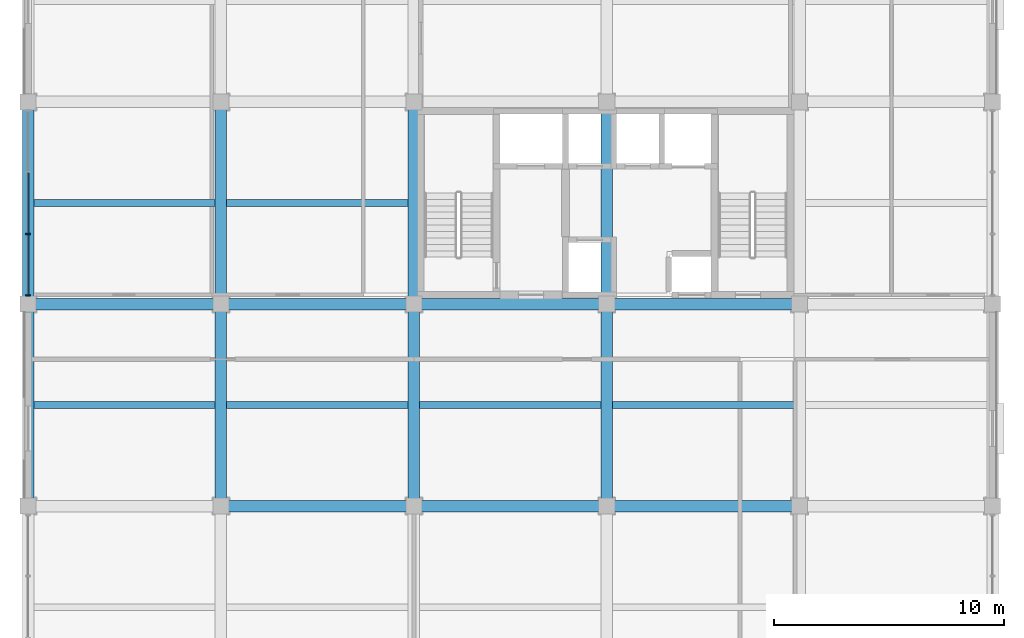
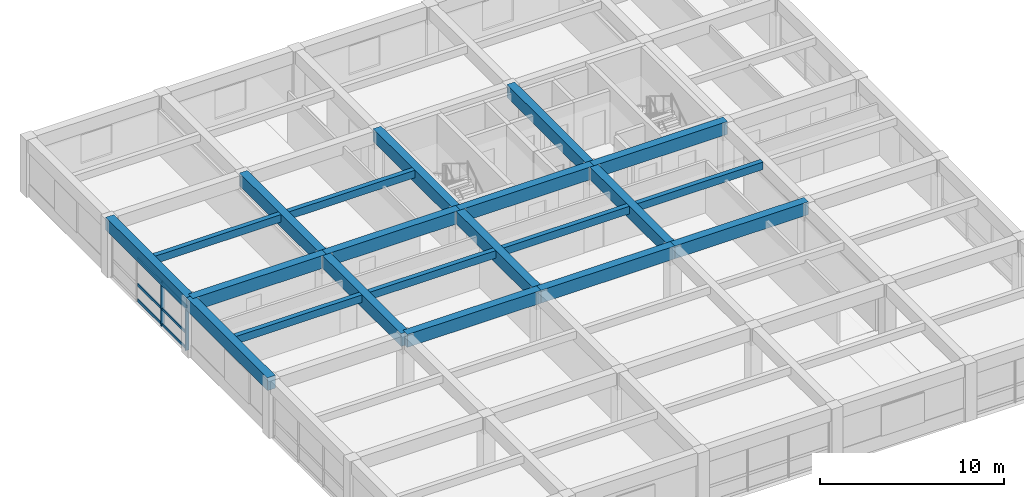
# One storey, part 3 of 12: 21 beams, 8 members, 1 element without a shape of its own.
"""IFC4 building model written with IfcOpenShell, lengths in metres."""

from ifc_helpers import new_model, si_unit, direction, frame, origin, origin_2d, place, context, subcontext, project, spatial, rectangle, extrude, material, material_profile, profile_set, type_object, element, aggregate, save


model = new_model("IFC4")

# Units and contexts
model_context = context("Model", 3, precision=1e-05, world=origin(), true_north=direction((0.0, 1.0)))
body_context = subcontext(model_context, "Body", "Model", "MODEL_VIEW")
ifc_project = project(units=[si_unit("LENGTHUNIT", "METRE"), si_unit("AREAUNIT", "SQUARE_METRE"), si_unit("VOLUMEUNIT", "CUBIC_METRE"), si_unit("PLANEANGLEUNIT", "RADIAN"), si_unit("MASSUNIT", "GRAM", prefix="KILO")], contexts=[model_context])

# Site, building, storey
site_placement = place(None, origin())
site = spatial("IfcSite", under=ifc_project, at=site_placement, CompositionType="ELEMENT")
building_placement = place(site_placement, origin())
building = spatial("IfcBuilding", under=site, at=building_placement, Name="Kemercrest Conservatory and Botanical Centre", CompositionType="ELEMENT")
storey_placement = place(building_placement, frame((0.0, 0.0, 21.0)))
storey = spatial("IfcBuildingStorey", under=building, at=storey_placement, Name="L05", CompositionType="ELEMENT", Elevation=21.0)

# Beams
ifc_material_1 = material(Name="Concrete C50/60", Category="concrete")
ifc_material_profile_1 = material_profile(ifc_material_1, rectangle(XDim=0.5, YDim=0.85009765625, at=origin_2d()), Name="RC 500x850")
ifc_profile_set_1 = profile_set([ifc_material_profile_1], Name="Concrete C50/60")
beam_type_1 = type_object("IfcBeamType", Name="BM-RC85", PredefinedType="BEAM", material=ifc_profile_set_1)
beam_1_placement = place(storey_placement, frame((142.39990234375, 96.0, 3.375), z_axis=(1.0, 0.0, 0.0), x_axis=(0.0, 1.0, 0.0)))
element("IfcBeam", 1, at=beam_1_placement, inside=storey, type_object=beam_type_1, Name="V4-L06 beam BM-RC85 L/17-18", PredefinedType="BEAM", context=body_context, shape_type="SweptSolid", body=[
    extrude(rectangle(XDim=0.5, YDim=0.85009765625, at=origin_2d()), origin(), (0.0, 0.0, 1.0), 8.400146484375),
])
beam_2_placement = place(storey_placement, frame((150.800048828125, 96.0, 3.375), z_axis=(1.0, 0.0, 0.0), x_axis=(0.0, 1.0, 0.0)))
element("IfcBeam", 2, at=beam_2_placement, inside=storey, type_object=beam_type_1, Name="V4-L06 beam BM-RC85 L/18-19", PredefinedType="BEAM", context=body_context, shape_type="SweptSolid", body=[
    extrude(rectangle(XDim=0.5, YDim=0.85009765625, at=origin_2d()), origin(), (0.0, 0.0, 1.0), 8.39990234375),
])
beam_3_placement = place(storey_placement, frame((159.199951171875, 96.0, 3.375), z_axis=(1.0, 0.0, 0.0), x_axis=(0.0, 1.0, 0.0)))
element("IfcBeam", 3, at=beam_3_placement, inside=storey, type_object=beam_type_1, Name="V4-L06 beam BM-RC85 L/19-20", PredefinedType="BEAM", context=body_context, shape_type="SweptSolid", body=[
    extrude(rectangle(XDim=0.5, YDim=0.85009765625, at=origin_2d()), origin(), (0.0, 0.0, 1.0), 8.400146484375),
])
beam_4_placement = place(storey_placement, frame((134.0, 104.800048828125, 3.375), z_axis=(1.0, 0.0, 0.0), x_axis=(0.0, 1.0, 0.0)))
element("IfcBeam", 4, at=beam_4_placement, inside=storey, type_object=beam_type_1, Name="V4-L06 beam BM-RC85 M/16-17", PredefinedType="BEAM", context=body_context, shape_type="SweptSolid", body=[
    extrude(rectangle(XDim=0.5, YDim=0.85009765625, at=origin_2d()), origin(), (0.0, 0.0, 1.0), 8.39990234375),
])
beam_5_placement = place(storey_placement, frame((142.39990234375, 104.800048828125, 3.375), z_axis=(1.0, 0.0, 0.0), x_axis=(0.0, 1.0, 0.0)))
element("IfcBeam", 5, at=beam_5_placement, inside=storey, type_object=beam_type_1, Name="V4-L06 beam BM-RC85 M/17-18", PredefinedType="BEAM", context=body_context, shape_type="SweptSolid", body=[
    extrude(rectangle(XDim=0.5, YDim=0.85009765625, at=origin_2d()), origin(), (0.0, 0.0, 1.0), 8.400146484375),
])
beam_6_placement = place(storey_placement, frame((150.800048828125, 104.800048828125, 3.375), z_axis=(1.0, 0.0, 0.0), x_axis=(0.0, 1.0, 0.0)))
element("IfcBeam", 6, at=beam_6_placement, inside=storey, type_object=beam_type_1, Name="V4-L06 beam BM-RC85 M/18-19", PredefinedType="BEAM", context=body_context, shape_type="SweptSolid", body=[
    extrude(rectangle(XDim=0.5, YDim=0.85009765625, at=origin_2d()), origin(), (0.0, 0.0, 1.0), 8.39990234375),
])
beam_7_placement = place(storey_placement, frame((159.199951171875, 104.800048828125, 3.375), z_axis=(1.0, 0.0, 0.0), x_axis=(0.0, 1.0, 0.0)))
element("IfcBeam", 7, at=beam_7_placement, inside=storey, type_object=beam_type_1, Name="V4-L06 beam BM-RC85 M/19-20", PredefinedType="BEAM", context=body_context, shape_type="SweptSolid", body=[
    extrude(rectangle(XDim=0.5, YDim=0.85009765625, at=origin_2d()), origin(), (0.0, 0.0, 1.0), 8.400146484375),
])
for number, where, z_axis, x_axis, name in (
    (8, (142.39990234375, 96.0, 3.375), (0.0, 1.0, 0.0), (-1.0, 0.0, 0.0), "V4-L06 beam BM-RC85 17/L-M"),
    (9, (142.39990234375, 104.800048828125, 3.375), (0.0, 1.0, 0.0), (-1.0, 0.0, 0.0), "V4-L06 beam BM-RC85 17/M-N"),
    (10, (150.800048828125, 96.0, 3.375), (0.0, 1.0, 0.0), (-1.0, 0.0, 0.0), "V4-L06 beam BM-RC85 18/L-M"),
    (11, (150.800048828125, 104.800048828125, 3.375), (0.0, 1.0, 0.0), (-1.0, 0.0, 0.0), "V4-L06 beam BM-RC85 18/M-N"),
    (12, (159.199951171875, 96.0, 3.375), (0.0, 1.0, 0.0), (-1.0, 0.0, 0.0), "V4-L06 beam BM-RC85 19/L-M"),
    (13, (159.199951171875, 104.800048828125, 3.375), (0.0, 1.0, 0.0), (-1.0, 0.0, 0.0), "V4-L06 beam BM-RC85 19/M-N"),
):
    element("IfcBeam", number, at=place(storey_placement, frame(where, z_axis=z_axis, x_axis=x_axis)), inside=storey, type_object=beam_type_1, Name=name, PredefinedType="BEAM", context=body_context, shape_type="SweptSolid", body=[
        extrude(rectangle(XDim=0.5, YDim=0.85009765625, at=origin_2d()), origin(), (0.0, 0.0, 1.0), 8.800048828125),
    ])

# Curtain wall, members
ifc_material_2 = material(Name="Thermally broken aluminium and triple low-e glazing", Category="aluminium")
curtain_wall_type = type_object("IfcCurtainWallType", Name="CW-21", PredefinedType="USERDEFINED", material=ifc_material_2)
curtain_wall_placement = place(storey_placement, origin())
curtain_wall = element("IfcCurtainWall", 14, at=curtain_wall_placement, inside=storey, type_object=curtain_wall_type, Name="Unitised curtain wall CW-21 (CW:L05:V4-080)", ObjectType="UNITISED CURTAIN WALL", PredefinedType="USERDEFINED")
ifc_material_3 = material(Name="Thermally broken anodized aluminium 6063-T6", Category="aluminium")
ifc_material_profile_2 = material_profile(ifc_material_3, rectangle(XDim=0.199951171875, YDim=0.06494140625, at=origin_2d()), Name="AL MULLION 65x200")
ifc_profile_set_2 = profile_set([ifc_material_profile_2], Name="Thermally broken anodized aluminium 6063-T6")
member_type_1 = type_object("IfcMemberType", Name="CW-M200", PredefinedType="MULLION", material=ifc_profile_set_2)
member_1_placement = place(storey_placement, frame((134.0, 107.848388671875, 0.0), z_axis=(0.0, 0.0, 1.0), x_axis=(1.0, 0.0, 0.0)))
member_1 = element("IfcMember", 15, at=member_1_placement, type_object=member_type_1, Name="CW-21 mullion 3", PredefinedType="MULLION", context=body_context, shape_type="SweptSolid", body=[
    extrude(rectangle(XDim=0.199951171875, YDim=0.06494140625, at=origin_2d()), origin(), (0.0, 0.0, 1.0), 2.955078125),
])
member_2_placement = place(storey_placement, frame((134.0, 105.177490234375, 0.0), z_axis=(0.0, 0.0, 1.0), x_axis=(1.0, 0.0, 0.0)))
member_2 = element("IfcMember", 16, at=member_2_placement, type_object=member_type_1, Name="CW-21 mullion 4", PredefinedType="MULLION", context=body_context, shape_type="SweptSolid", body=[
    extrude(rectangle(XDim=0.199951171875, YDim=0.06494140625, at=origin_2d()), origin(), (0.0, 0.0, 1.0), 2.955078125),
])
ifc_material_profile_3 = material_profile(ifc_material_3, rectangle(XDim=0.074951171875, YDim=0.179931640625, at=origin_2d()), Name="AL TRANSOM 75x180")
ifc_profile_set_3 = profile_set([ifc_material_profile_3], Name="Thermally broken anodized aluminium 6063-T6")
member_type_2 = type_object("IfcMemberType", Name="CW-T180", PredefinedType="USERDEFINED", material=ifc_profile_set_3)
member_3_placement = place(storey_placement, frame((134.0, 110.519287109375, 0.090087890625), z_axis=(0.0, -1.0, 0.0), x_axis=(1.0, 0.0, 0.0)))
member_3 = element("IfcMember", 17, at=member_3_placement, type_object=member_type_2, Name="CW-21 transom 2.1", ObjectType="TRANSOM", PredefinedType="USERDEFINED", context=body_context, shape_type="SweptSolid", body=[
    extrude(rectangle(XDim=0.074951171875, YDim=0.179931640625, at=origin_2d()), origin(), (0.0, 0.0, 1.0), 2.638427734375),
])
member_4_placement = place(storey_placement, frame((134.0, 110.519287109375, 1.1201171875), z_axis=(0.0, -1.0, 0.0), x_axis=(1.0, 0.0, 0.0)))
member_4 = element("IfcMember", 18, at=member_4_placement, type_object=member_type_2, Name="CW-21 transom 2.2", ObjectType="TRANSOM", PredefinedType="USERDEFINED", context=body_context, shape_type="SweptSolid", body=[
    extrude(rectangle(XDim=0.074951171875, YDim=0.179931640625, at=origin_2d()), origin(), (0.0, 0.0, 1.0), 2.638427734375),
])
member_5_placement = place(storey_placement, frame((134.0, 110.519287109375, 2.864990234375), z_axis=(0.0, -1.0, 0.0), x_axis=(1.0, 0.0, 0.0)))
member_5 = element("IfcMember", 19, at=member_5_placement, type_object=member_type_2, Name="CW-21 transom 2.3", ObjectType="TRANSOM", PredefinedType="USERDEFINED", context=body_context, shape_type="SweptSolid", body=[
    extrude(rectangle(XDim=0.074951171875, YDim=0.179931640625, at=origin_2d()), origin(), (0.0, 0.0, 1.0), 2.638427734375),
])
member_6_placement = place(storey_placement, frame((134.0, 107.81591796875, 0.090087890625), z_axis=(0.0, -1.0, 0.0), x_axis=(1.0, 0.0, 0.0)))
member_6 = element("IfcMember", 20, at=member_6_placement, type_object=member_type_2, Name="CW-21 transom 3.1", ObjectType="TRANSOM", PredefinedType="USERDEFINED", context=body_context, shape_type="SweptSolid", body=[
    extrude(rectangle(XDim=0.074951171875, YDim=0.179931640625, at=origin_2d()), origin(), (0.0, 0.0, 1.0), 2.60595703125),
])
member_7_placement = place(storey_placement, frame((134.0, 107.81591796875, 1.1201171875), z_axis=(0.0, -1.0, 0.0), x_axis=(1.0, 0.0, 0.0)))
member_7 = element("IfcMember", 21, at=member_7_placement, type_object=member_type_2, Name="CW-21 transom 3.2", ObjectType="TRANSOM", PredefinedType="USERDEFINED", context=body_context, shape_type="SweptSolid", body=[
    extrude(rectangle(XDim=0.074951171875, YDim=0.179931640625, at=origin_2d()), origin(), (0.0, 0.0, 1.0), 2.60595703125),
])
member_8_placement = place(storey_placement, frame((134.0, 107.81591796875, 2.864990234375), z_axis=(0.0, -1.0, 0.0), x_axis=(1.0, 0.0, 0.0)))
member_8 = element("IfcMember", 22, at=member_8_placement, type_object=member_type_2, Name="CW-21 transom 3.3", ObjectType="TRANSOM", PredefinedType="USERDEFINED", context=body_context, shape_type="SweptSolid", body=[
    extrude(rectangle(XDim=0.074951171875, YDim=0.179931640625, at=origin_2d()), origin(), (0.0, 0.0, 1.0), 2.60595703125),
])
aggregate(curtain_wall, [member_1, member_2, member_3, member_4, member_5, member_6, member_7, member_8])

# Beams
ifc_material_4 = material(Name="Concrete C40/50", Category="concrete")
ifc_material_profile_4 = material_profile(ifc_material_4, rectangle(XDim=0.300048828125, YDim=0.5, at=origin_2d()), Name="RC 300x500")
ifc_profile_set_4 = profile_set([ifc_material_profile_4], Name="Concrete C40/50")
beam_type_2 = type_object("IfcBeamType", Name="JS-RC50", PredefinedType="JOIST", material=ifc_profile_set_4)
beam_8_placement = place(storey_placement, frame((134.25, 100.39990234375, 3.550048828125), z_axis=(1.0, 0.0, 0.0), x_axis=(0.0, 1.0, 0.0)))
element("IfcBeam", 23, at=beam_8_placement, inside=storey, type_object=beam_type_2, Name="V4-L06 secondary joist JS-RC50", PredefinedType="JOIST", context=body_context, shape_type="SweptSolid", body=[
    extrude(rectangle(XDim=0.300048828125, YDim=0.5, at=origin_2d()), origin(), (0.0, 0.0, 1.0), 7.89990234375),
])
beam_9_placement = place(storey_placement, frame((142.64990234375, 100.39990234375, 3.550048828125), z_axis=(1.0, 0.0, 0.0), x_axis=(0.0, 1.0, 0.0)))
element("IfcBeam", 24, at=beam_9_placement, inside=storey, type_object=beam_type_2, Name="V4-L06 secondary joist JS-RC50", PredefinedType="JOIST", context=body_context, shape_type="SweptSolid", body=[
    extrude(rectangle(XDim=0.300048828125, YDim=0.5, at=origin_2d()), origin(), (0.0, 0.0, 1.0), 7.900146484375),
])
beam_10_placement = place(storey_placement, frame((151.050048828125, 100.39990234375, 3.550048828125), z_axis=(1.0, 0.0, 0.0), x_axis=(0.0, 1.0, 0.0)))
element("IfcBeam", 25, at=beam_10_placement, inside=storey, type_object=beam_type_2, Name="V4-L06 secondary joist JS-RC50", PredefinedType="JOIST", context=body_context, shape_type="SweptSolid", body=[
    extrude(rectangle(XDim=0.300048828125, YDim=0.5, at=origin_2d()), origin(), (0.0, 0.0, 1.0), 7.89990234375),
])
beam_11_placement = place(storey_placement, frame((159.449951171875, 100.39990234375, 3.550048828125), z_axis=(1.0, 0.0, 0.0), x_axis=(0.0, 1.0, 0.0)))
element("IfcBeam", 26, at=beam_11_placement, inside=storey, type_object=beam_type_2, Name="V4-L06 secondary joist JS-RC50", PredefinedType="JOIST", context=body_context, shape_type="SweptSolid", body=[
    extrude(rectangle(XDim=0.300048828125, YDim=0.5, at=origin_2d()), origin(), (0.0, 0.0, 1.0), 7.900146484375),
])
beam_12_placement = place(storey_placement, frame((134.25, 109.199951171875, 3.550048828125), z_axis=(1.0, 0.0, 0.0), x_axis=(0.0, 1.0, 0.0)))
element("IfcBeam", 27, at=beam_12_placement, inside=storey, type_object=beam_type_2, Name="V4-L06 secondary joist JS-RC50", PredefinedType="JOIST", context=body_context, shape_type="SweptSolid", body=[
    extrude(rectangle(XDim=0.300048828125, YDim=0.5, at=origin_2d()), origin(), (0.0, 0.0, 1.0), 7.89990234375),
])
beam_13_placement = place(storey_placement, frame((142.64990234375, 109.199951171875, 3.550048828125), z_axis=(1.0, 0.0, 0.0), x_axis=(0.0, 1.0, 0.0)))
element("IfcBeam", 28, at=beam_13_placement, inside=storey, type_object=beam_type_2, Name="V4-L06 secondary joist JS-RC50", PredefinedType="JOIST", context=body_context, shape_type="SweptSolid", body=[
    extrude(rectangle(XDim=0.300048828125, YDim=0.5, at=origin_2d()), origin(), (0.0, 0.0, 1.0), 7.900146484375),
])
ifc_material_profile_5 = material_profile(ifc_material_1, rectangle(XDim=0.5, YDim=0.85009765625, at=origin_2d()), Name="RC 500x850")
ifc_profile_set_5 = profile_set([ifc_material_profile_5], Name="Concrete C50/60")
beam_type_3 = type_object("IfcBeamType", Name="SP-RC85", PredefinedType="SPANDREL", material=ifc_profile_set_5)
for number, where, z_axis, x_axis, name in (
    (29, (134.0, 96.0, 3.375), (0.0, 1.0, 0.0), (-1.0, 0.0, 0.0), "V4-L06 beam SP-RC85 16/L-M"),
    (30, (134.0, 104.800048828125, 3.375), (0.0, 1.0, 0.0), (-1.0, 0.0, 0.0), "V4-L06 beam SP-RC85 16/M-N"),
):
    element("IfcBeam", number, at=place(storey_placement, frame(where, z_axis=z_axis, x_axis=x_axis)), inside=storey, type_object=beam_type_3, Name=name, PredefinedType="SPANDREL", context=body_context, shape_type="SweptSolid", body=[
        extrude(rectangle(XDim=0.5, YDim=0.85009765625, at=origin_2d()), origin(), (0.0, 0.0, 1.0), 8.800048828125),
    ])

save(model, "model.ifc")
